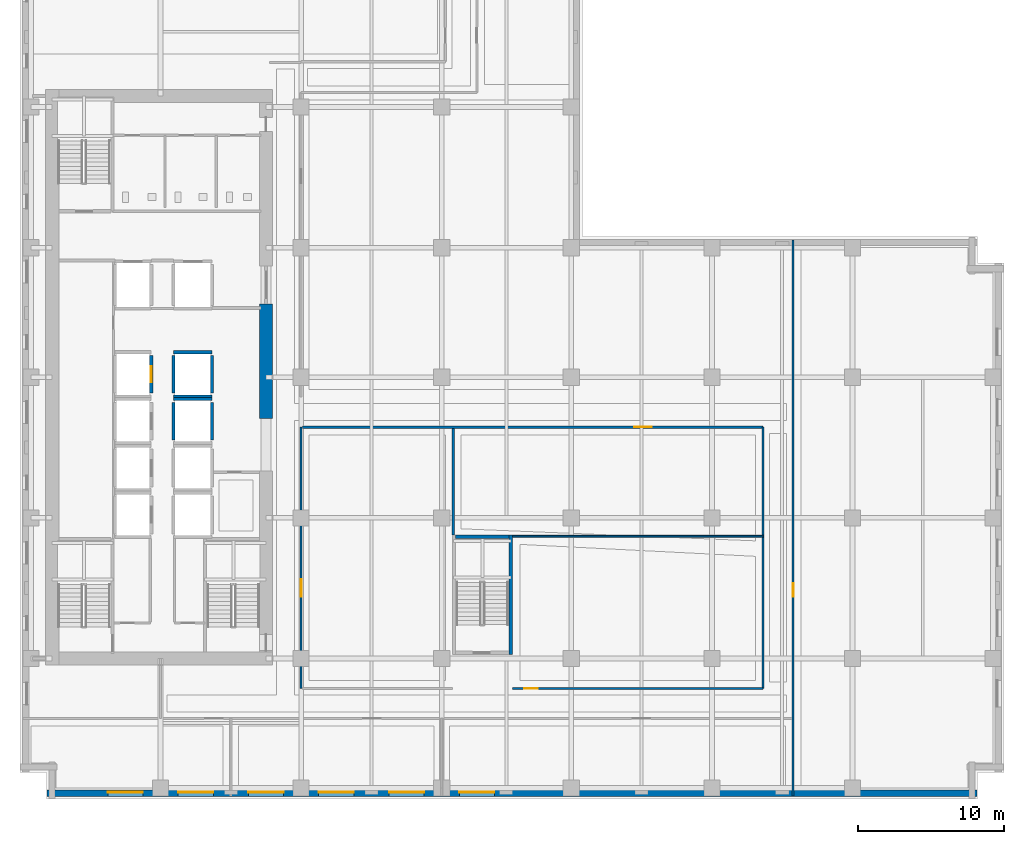
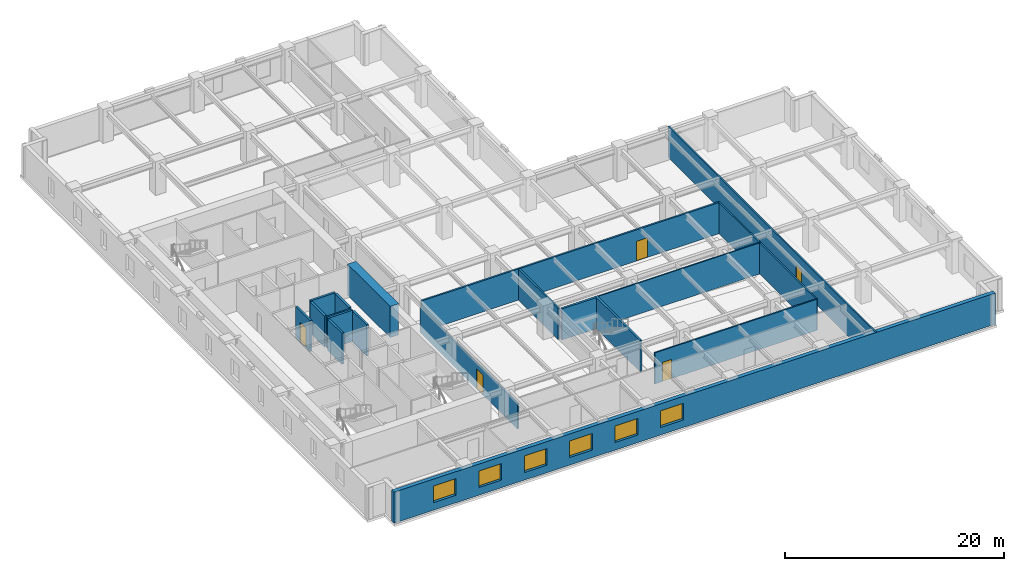
# One storey, part 5 of 15: 19 walls, 6 windows, 5 doors, 11 openings.
"""IFC4 building model written with IfcOpenShell, lengths in metres."""

from ifc_helpers import new_model, si_unit, direction, frame, frame_2d, origin, place, context, subcontext, project, spatial, rectangle, extrude, material, layer, layer_set, type_object, element, fill, save


model = new_model("IFC4")

# Units and contexts
model_context = context("Model", 3, precision=1e-05, world=origin(), true_north=direction((0.0, 1.0)))
body_context = subcontext(model_context, "Body", "Model", "MODEL_VIEW")
ifc_project = project(units=[si_unit("LENGTHUNIT", "METRE"), si_unit("AREAUNIT", "SQUARE_METRE"), si_unit("VOLUMEUNIT", "CUBIC_METRE"), si_unit("PLANEANGLEUNIT", "RADIAN"), si_unit("MASSUNIT", "GRAM", prefix="KILO")], contexts=[model_context])

# Site, building, storey
site_placement = place(None, origin())
site = spatial("IfcSite", under=ifc_project, at=site_placement, CompositionType="ELEMENT")
building_placement = place(site_placement, origin())
building = spatial("IfcBuilding", under=site, at=building_placement, Name="Norrvale University Quadrangle", CompositionType="ELEMENT")
storey_placement = place(building_placement, frame((0.0, 0.0, 92.60009765625)))
storey = spatial("IfcBuildingStorey", under=building, at=storey_placement, Name="L23", CompositionType="ELEMENT", Elevation=92.60009765625)

# Wall, openings, windows
ifc_material_1 = material(Name="Buff Norman Clay Brick Masonry", Category="masonry")
ifc_layer_1 = layer(ifc_material_1, 0.419921875, Name="Buff Norman Clay Brick Masonry")
ifc_layer_set_1 = layer_set([ifc_layer_1], Name="Buff Norman Clay Brick Masonry")
wall_type_1 = type_object("IfcWallType", Name="Wall Buff Brick 420", PredefinedType="SOLIDWALL", material=ifc_layer_set_1)
wall_1_placement = place(storey_placement, frame((1.840087890625, 0.389892578125, 0.0), z_axis=(0.0, 0.0, 1.0), x_axis=(1.0, 0.0, 0.0)))
wall_1 = element("IfcWall", 1, at=wall_1_placement, inside=storey, type_object=wall_type_1, Name="Exterior Brick Facade Wall L23-01.1", PredefinedType="SOLIDWALL", context=body_context, shape_type="SweptSolid", body=[
    extrude(rectangle(XDim=63.52001953125, YDim=0.419921875, at=frame_2d((31.760009765625, 0.0))), origin(), (0.0, 0.0, 1.0), 3.47998046875),
])
opening_1_placement = place(wall_1_placement, frame((4.159912109375, 0.0, 0.85009765625)))
opening_1 = element("IfcOpeningElement", 2, at=opening_1_placement, cuts=wall_1, Name="Opening W02", PredefinedType="OPENING", context=body_context, shape_type="SweptSolid", body=[
    extrude(rectangle(XDim=2.39990234375, YDim=1.85009765625, at=frame_2d((1.199951171875, 0.925048828125))), frame((0.0, 0.221923828125, 0.0), z_axis=(0.0, -1.0, 0.0), x_axis=(1.0, 0.0, 0.0)), (0.0, 0.0, 1.0), 0.44384765625),
])
opening_2_placement = place(wall_1_placement, frame((8.9599609375, 0.0, 0.85009765625)))
opening_2 = element("IfcOpeningElement", 3, at=opening_2_placement, cuts=wall_1, Name="Opening W02", PredefinedType="OPENING", context=body_context, shape_type="SweptSolid", body=[
    extrude(rectangle(XDim=2.39990234375, YDim=1.85009765625, at=frame_2d((1.199951171875, 0.925048828125))), frame((0.0, 0.221923828125, 0.0), z_axis=(0.0, -1.0, 0.0), x_axis=(1.0, 0.0, 0.0)), (0.0, 0.0, 1.0), 0.44384765625),
])
opening_3_placement = place(wall_1_placement, frame((13.760009765625, 0.0, 0.85009765625)))
opening_3 = element("IfcOpeningElement", 4, at=opening_3_placement, cuts=wall_1, Name="Opening W02", PredefinedType="OPENING", context=body_context, shape_type="SweptSolid", body=[
    extrude(rectangle(XDim=2.39990234375, YDim=1.85009765625, at=frame_2d((1.199951171875, 0.925048828125))), frame((0.0, 0.221923828125, 0.0), z_axis=(0.0, -1.0, 0.0), x_axis=(1.0, 0.0, 0.0)), (0.0, 0.0, 1.0), 0.44384765625),
])
opening_4_placement = place(wall_1_placement, frame((18.56005859375, 0.0, 0.85009765625)))
opening_4 = element("IfcOpeningElement", 5, at=opening_4_placement, cuts=wall_1, Name="Opening W02", PredefinedType="OPENING", context=body_context, shape_type="SweptSolid", body=[
    extrude(rectangle(XDim=2.39990234375, YDim=1.85009765625, at=frame_2d((1.199951171875, 0.925048828125))), frame((0.0, 0.221923828125, 0.0), z_axis=(0.0, -1.0, 0.0), x_axis=(1.0, 0.0, 0.0)), (0.0, 0.0, 1.0), 0.44384765625),
])
opening_5_placement = place(wall_1_placement, frame((23.360107421875, 0.0, 0.85009765625)))
opening_5 = element("IfcOpeningElement", 6, at=opening_5_placement, cuts=wall_1, Name="Opening W02", PredefinedType="OPENING", context=body_context, shape_type="SweptSolid", body=[
    extrude(rectangle(XDim=2.39990234375, YDim=1.85009765625, at=frame_2d((1.199951171875, 0.925048828125))), frame((0.0, 0.221923828125, 0.0), z_axis=(0.0, -1.0, 0.0), x_axis=(1.0, 0.0, 0.0)), (0.0, 0.0, 1.0), 0.44384765625),
])
opening_6_placement = place(wall_1_placement, frame((28.159912109375, 0.0, 0.85009765625)))
opening_6 = element("IfcOpeningElement", 7, at=opening_6_placement, cuts=wall_1, Name="Opening W02", PredefinedType="OPENING", context=body_context, shape_type="SweptSolid", body=[
    extrude(rectangle(XDim=2.39990234375, YDim=1.85009765625, at=frame_2d((1.199951171875, 0.925048828125))), frame((0.0, 0.221923828125, 0.0), z_axis=(0.0, -1.0, 0.0), x_axis=(1.0, 0.0, 0.0)), (0.0, 0.0, 1.0), 0.44384765625),
])
ifc_material_2 = material(Name="Triple Low-E Argon Glazing", Category="glass")
window_type = type_object("IfcWindowType", Name="Window Academic 2400x2300", PartitioningType="TRIPLE_PANEL_VERTICAL", PredefinedType="WINDOW", material=ifc_material_2)
window_1_placement = place(opening_1_placement, origin())
window_1 = element("IfcWindow", 8, at=window_1_placement, inside=storey, type_object=window_type, Name="Window Academic 2400x2300 WIN-L23-E01-1-01", OverallHeight=1.85009765625, OverallWidth=2.39990234375, PartitioningType="TRIPLE_PANEL_VERTICAL", PredefinedType="WINDOW", context=body_context, shape_type="SweptSolid", body=[
    extrude(rectangle(XDim=2.39990234375, YDim=1.85009765625, at=frame_2d((1.199951171875, 0.925048828125))), frame((0.0, 0.110107421875, 0.0), z_axis=(0.0, -1.0, 0.0), x_axis=(1.0, 0.0, 0.0)), (0.0, 0.0, 1.0), 0.06005859375),
])
fill(opening_1, window_1)
window_2_placement = place(opening_2_placement, origin())
window_2 = element("IfcWindow", 9, at=window_2_placement, inside=storey, type_object=window_type, Name="Window Academic 2400x2300 WIN-L23-E01-1-02", OverallHeight=1.85009765625, OverallWidth=2.39990234375, PartitioningType="TRIPLE_PANEL_VERTICAL", PredefinedType="WINDOW", context=body_context, shape_type="SweptSolid", body=[
    extrude(rectangle(XDim=2.39990234375, YDim=1.85009765625, at=frame_2d((1.199951171875, 0.925048828125))), frame((0.0, 0.110107421875, 0.0), z_axis=(0.0, -1.0, 0.0), x_axis=(1.0, 0.0, 0.0)), (0.0, 0.0, 1.0), 0.06005859375),
])
fill(opening_2, window_2)
window_3_placement = place(opening_3_placement, origin())
window_3 = element("IfcWindow", 10, at=window_3_placement, inside=storey, type_object=window_type, Name="Window Academic 2400x2300 WIN-L23-E01-1-03", OverallHeight=1.85009765625, OverallWidth=2.39990234375, PartitioningType="TRIPLE_PANEL_VERTICAL", PredefinedType="WINDOW", context=body_context, shape_type="SweptSolid", body=[
    extrude(rectangle(XDim=2.39990234375, YDim=1.85009765625, at=frame_2d((1.199951171875, 0.925048828125))), frame((0.0, 0.110107421875, 0.0), z_axis=(0.0, -1.0, 0.0), x_axis=(1.0, 0.0, 0.0)), (0.0, 0.0, 1.0), 0.06005859375),
])
fill(opening_3, window_3)
window_4_placement = place(opening_4_placement, origin())
window_4 = element("IfcWindow", 11, at=window_4_placement, inside=storey, type_object=window_type, Name="Window Academic 2400x2300 WIN-L23-E01-1-04", OverallHeight=1.85009765625, OverallWidth=2.39990234375, PartitioningType="TRIPLE_PANEL_VERTICAL", PredefinedType="WINDOW", context=body_context, shape_type="SweptSolid", body=[
    extrude(rectangle(XDim=2.39990234375, YDim=1.85009765625, at=frame_2d((1.199951171875, 0.925048828125))), frame((0.0, 0.110107421875, 0.0), z_axis=(0.0, -1.0, 0.0), x_axis=(1.0, 0.0, 0.0)), (0.0, 0.0, 1.0), 0.06005859375),
])
fill(opening_4, window_4)
window_5_placement = place(opening_5_placement, origin())
window_5 = element("IfcWindow", 12, at=window_5_placement, inside=storey, type_object=window_type, Name="Window Academic 2400x2300 WIN-L23-E01-1-05", OverallHeight=1.85009765625, OverallWidth=2.39990234375, PartitioningType="TRIPLE_PANEL_VERTICAL", PredefinedType="WINDOW", context=body_context, shape_type="SweptSolid", body=[
    extrude(rectangle(XDim=2.39990234375, YDim=1.85009765625, at=frame_2d((1.199951171875, 0.925048828125))), frame((0.0, 0.110107421875, 0.0), z_axis=(0.0, -1.0, 0.0), x_axis=(1.0, 0.0, 0.0)), (0.0, 0.0, 1.0), 0.06005859375),
])
fill(opening_5, window_5)
window_6_placement = place(opening_6_placement, origin())
window_6 = element("IfcWindow", 13, at=window_6_placement, inside=storey, type_object=window_type, Name="Window Academic 2400x2300 WIN-L23-E01-1-06", OverallHeight=1.85009765625, OverallWidth=2.39990234375, PartitioningType="TRIPLE_PANEL_VERTICAL", PredefinedType="WINDOW", context=body_context, shape_type="SweptSolid", body=[
    extrude(rectangle(XDim=2.39990234375, YDim=1.85009765625, at=frame_2d((1.199951171875, 0.925048828125))), frame((0.0, 0.110107421875, 0.0), z_axis=(0.0, -1.0, 0.0), x_axis=(1.0, 0.0, 0.0)), (0.0, 0.0, 1.0), 0.06005859375),
])
fill(opening_6, window_6)

# Walls
ifc_material_3 = material(Name="Concrete C80/95", Category="concrete")
ifc_layer_2 = layer(ifc_material_3, 0.89990234375, Name="Concrete C80/95")
ifc_layer_set_2 = layer_set([ifc_layer_2], Name="Concrete C80/95")
wall_type_2 = type_object("IfcWallType", Name="Wall Core 900", PredefinedType="SHEAR", material=ifc_layer_set_2)
wall_2_placement = place(storey_placement, frame((16.800048828125, 26.0, 0.0), z_axis=(0.0, 0.0, 1.0), x_axis=(0.0, 1.0, 0.0)))
element("IfcWall", 14, at=wall_2_placement, inside=storey, type_object=wall_type_2, Name="Tower Core Shear Wall L23-E2", PredefinedType="SHEAR", context=body_context, shape_type="SweptSolid", body=[
    extrude(rectangle(XDim=7.800048828125, YDim=0.89990234375, at=frame_2d((3.89990234375, 0.0))), origin(), (0.0, 0.0, 1.0), 3.47998046875),
])
ifc_material_4 = material(Name="Standard Academic Gypsum Partition")
ifc_layer_3 = layer(ifc_material_4, 0.125, Name="Standard Academic Gypsum Partition")
ifc_layer_set_3 = layer_set([ifc_layer_3], Name="Standard Academic Gypsum Partition")
wall_type_3 = type_object("IfcWallType", Name="Wall Gypsum Academic 125", PredefinedType="PARTITIONING", material=ifc_layer_set_3)
wall_3_placement = place(storey_placement, frame((33.6201171875, 17.93994140625, 0.0), z_axis=(0.0, 0.0, 1.0), x_axis=(1.0, 0.0, 0.0)))
element("IfcWall", 15, at=wall_3_placement, inside=storey, type_object=wall_type_3, Name="Interior Partition WL-L23-ISLH", PredefinedType="PARTITIONING", context=body_context, shape_type="SweptSolid", body=[
    extrude(rectangle(XDim=17.1298828125, YDim=0.125, at=frame_2d((8.56494140625, 0.0))), origin(), (0.0, 0.0, 1.0), 3.47998046875),
])

# Wall, opening, door
ifc_material_5 = material(Name="Fire-Rated Gypsum Stud Partition")
ifc_layer_4 = layer(ifc_material_5, 0.14990234375, Name="Fire-Rated Gypsum Stud Partition")
ifc_layer_set_4 = layer_set([ifc_layer_4], Name="Fire-Rated Gypsum Stud Partition")
wall_type_4 = type_object("IfcWallType", Name="Wall Gypsum Corridor 150", PredefinedType="PARTITIONING", material=ifc_layer_set_4)
wall_4_placement = place(storey_placement, frame((52.800048828125, 0.219970703125, 0.0), z_axis=(0.0, 0.0, 1.0), x_axis=(0.0, 1.0, 0.0)))
wall_4 = element("IfcWall", 16, at=wall_4_placement, inside=storey, type_object=wall_type_4, Name="Interior Partition WL-L23-ECW", PredefinedType="PARTITIONING", context=body_context, shape_type="SweptSolid", body=[
    extrude(rectangle(XDim=37.9599609375, YDim=0.14990234375, at=frame_2d((18.97998046875, 0.0))), origin(), (0.0, 0.0, 1.0), 3.47998046875),
])
opening_7_placement = place(wall_4_placement, frame((13.580078125, 0.0, 0.0)))
opening_7 = element("IfcOpeningElement", 17, at=opening_7_placement, cuts=wall_4, Name="Opening D07", PredefinedType="OPENING", context=body_context, shape_type="SweptSolid", body=[
    extrude(rectangle(XDim=0.949951171875, YDim=2.14990234375, at=frame_2d((0.47509765625, 1.074951171875))), frame((0.0, 0.0869140625, 0.0), z_axis=(0.0, -1.0, 0.0), x_axis=(1.0, 0.0, 0.0)), (0.0, 0.0, 1.0), 0.173828125),
])
ifc_material_6 = material(Name="Solid-Core Maple Door", Category="wood")
door_type_1 = type_object("IfcDoorType", Name="Door Office 950x2150", OperationType="NOTDEFINED", PredefinedType="DOOR", material=ifc_material_6)
door_1_placement = place(opening_7_placement, origin())
door_1 = element("IfcDoor", 18, at=door_1_placement, inside=storey, type_object=door_type_1, Name="Door Office 950x2150 DR-L23-E01", OperationType="SINGLE_SWING_RIGHT", OverallHeight=2.14990234375, OverallWidth=0.949951171875, PredefinedType="DOOR", context=body_context, shape_type="SweptSolid", body=[
    extrude(rectangle(XDim=0.949951171875, YDim=2.14990234375, at=frame_2d((0.47509765625, 1.074951171875))), frame((0.0, 0.02490234375, 0.0), z_axis=(0.0, -1.0, 0.0), x_axis=(1.0, 0.0, 0.0)), (0.0, 0.0, 1.0), 0.050048828125),
])
fill(opening_7, door_1)

wall_5_placement = place(storey_placement, frame((19.199951171875, 7.550048828125, 0.0), z_axis=(0.0, 0.0, 1.0), x_axis=(0.0, 1.0, 0.0)))
wall_5 = element("IfcWall", 19, at=wall_5_placement, inside=storey, type_object=wall_type_4, Name="Interior Partition WL-L23-ISLW", PredefinedType="PARTITIONING", context=body_context, shape_type="SweptSolid", body=[
    extrude(rectangle(XDim=17.849853515625, YDim=0.14990234375, at=frame_2d((8.9248046875, 0.0))), origin(), (0.0, 0.0, 1.0), 2.864013671875),
])
opening_8_placement = place(wall_5_placement, frame((6.25, 0.0, 0.0)))
opening_8 = element("IfcOpeningElement", 20, at=opening_8_placement, cuts=wall_5, Name="Opening D05", PredefinedType="OPENING", context=body_context, shape_type="SweptSolid", body=[
    extrude(rectangle(XDim=1.199951171875, YDim=2.199951171875, at=frame_2d((0.60009765625, 1.10009765625))), frame((0.0, 0.0869140625, 0.0), z_axis=(0.0, -1.0, 0.0), x_axis=(1.0, 0.0, 0.0)), (0.0, 0.0, 1.0), 0.173828125),
])
ifc_material_7 = material(Name="Acoustic Oak Classroom Door", Category="wood")
door_type_2 = type_object("IfcDoorType", Name="Door Classroom 1200x2200", OperationType="NOTDEFINED", PredefinedType="DOOR", material=ifc_material_7)
door_2_placement = place(opening_8_placement, origin())
door_2 = element("IfcDoor", 21, at=door_2_placement, inside=storey, type_object=door_type_2, Name="Door Classroom 1200x2200 DR-L23-IW1", OperationType="SINGLE_SWING_LEFT", OverallHeight=2.199951171875, OverallWidth=1.199951171875, PredefinedType="DOOR", context=body_context, shape_type="SweptSolid", body=[
    extrude(rectangle(XDim=1.199951171875, YDim=2.199951171875, at=frame_2d((0.60009765625, 1.10009765625))), frame((0.0, 0.02490234375, 0.0), z_axis=(0.0, -1.0, 0.0), x_axis=(1.0, 0.0, 0.0)), (0.0, 0.0, 1.0), 0.050048828125),
])
fill(opening_8, door_2)

wall_6_placement = place(storey_placement, frame((33.6201171875, 7.550048828125, 0.0), z_axis=(0.0, 0.0, 1.0), x_axis=(1.0, 0.0, 0.0)))
wall_6 = element("IfcWall", 22, at=wall_6_placement, inside=storey, type_object=wall_type_4, Name="Interior Partition WL-L23-ISLS2", PredefinedType="PARTITIONING", context=body_context, shape_type="SweptSolid", body=[
    extrude(rectangle(XDim=17.1298828125, YDim=0.14990234375, at=frame_2d((8.56494140625, 0.0))), origin(), (0.0, 0.0, 1.0), 3.47998046875),
])
opening_9_placement = place(wall_6_placement, frame((0.800048828125, 0.0, 0.0)))
opening_9 = element("IfcOpeningElement", 23, at=opening_9_placement, cuts=wall_6, Name="Opening D07", PredefinedType="OPENING", context=body_context, shape_type="SweptSolid", body=[
    extrude(rectangle(XDim=0.949951171875, YDim=2.14990234375, at=frame_2d((0.47509765625, 1.074951171875))), frame((0.0, 0.0869140625, 0.0), z_axis=(0.0, -1.0, 0.0), x_axis=(1.0, 0.0, 0.0)), (0.0, 0.0, 1.0), 0.173828125),
])
door_3_placement = place(opening_9_placement, origin())
door_3 = element("IfcDoor", 24, at=door_3_placement, inside=storey, type_object=door_type_1, Name="Door Office 950x2150 DR-L23-ISE", OperationType="SINGLE_SWING_LEFT", OverallHeight=2.14990234375, OverallWidth=0.949951171875, PredefinedType="DOOR", context=body_context, shape_type="SweptSolid", body=[
    extrude(rectangle(XDim=0.949951171875, YDim=2.14990234375, at=frame_2d((0.47509765625, 1.074951171875))), frame((0.0, 0.02490234375, 0.0), z_axis=(0.0, -1.0, 0.0), x_axis=(1.0, 0.0, 0.0)), (0.0, 0.0, 1.0), 0.050048828125),
])
fill(opening_9, door_3)

# Walls
wall_7_placement = place(storey_placement, frame((50.75, 7.550048828125, 0.0), z_axis=(0.0, 0.0, 1.0), x_axis=(0.0, 1.0, 0.0)))
element("IfcWall", 25, at=wall_7_placement, inside=storey, type_object=wall_type_4, Name="Interior Partition WL-L23-ISLE", PredefinedType="PARTITIONING", context=body_context, shape_type="SweptSolid", body=[
    extrude(rectangle(XDim=17.849853515625, YDim=0.14990234375, at=frame_2d((8.9248046875, 0.0))), origin(), (0.0, 0.0, 1.0), 3.47998046875),
])
ifc_material_8 = material(Name="Acoustic Double-Stud Gypsum Partition")
ifc_layer_5 = layer(ifc_material_8, 0.179931640625, Name="Acoustic Double-Stud Gypsum Partition")
ifc_layer_set_5 = layer_set([ifc_layer_5], Name="Acoustic Double-Stud Gypsum Partition")
wall_type_5 = type_object("IfcWallType", Name="Wall Gypsum Lecture 180", PredefinedType="PARTITIONING", material=ifc_layer_set_5)
wall_8_placement = place(storey_placement, frame((29.580078125, 18.02490234375, 0.0), z_axis=(0.0, 0.0, 1.0), x_axis=(0.0, 1.0, 0.0)))
element("IfcWall", 26, at=wall_8_placement, inside=storey, type_object=wall_type_5, Name="Interior Partition WL-L23-ISLD", PredefinedType="PARTITIONING", context=body_context, shape_type="SweptSolid", body=[
    extrude(rectangle(XDim=7.280029296875, YDim=0.179931640625, at=frame_2d((3.64013671875, 0.0))), origin(), (0.0, 0.0, 1.0), 3.47998046875),
])

# Wall, opening, door
wall_9_placement = place(storey_placement, frame((19.280029296875, 25.39990234375, 0.0), z_axis=(0.0, 0.0, 1.0), x_axis=(1.0, 0.0, 0.0)))
wall_9 = element("IfcWall", 27, at=wall_9_placement, inside=storey, type_object=wall_type_5, Name="Interior Partition WL-L23-ISLN", PredefinedType="PARTITIONING", context=body_context, shape_type="SweptSolid", body=[
    extrude(rectangle(XDim=31.469970703125, YDim=0.179931640625, at=frame_2d((15.73486328125, 0.0))), origin(), (0.0, 0.0, 1.0), 3.47998046875),
])
opening_10_placement = place(wall_9_placement, frame((22.669921875, 0.0, 0.0)))
opening_10 = element("IfcOpeningElement", 28, at=opening_10_placement, cuts=wall_9, Name="Opening D05", PredefinedType="OPENING", context=body_context, shape_type="SweptSolid", body=[
    extrude(rectangle(XDim=1.199951171875, YDim=2.199951171875, at=frame_2d((0.60009765625, 1.10009765625))), frame((0.0, 0.10205078125, 0.0), z_axis=(0.0, -1.0, 0.0), x_axis=(1.0, 0.0, 0.0)), (0.0, 0.0, 1.0), 0.203857421875),
])
door_4_placement = place(opening_10_placement, origin())
door_4 = element("IfcDoor", 29, at=door_4_placement, inside=storey, type_object=door_type_2, Name="Door Classroom 1200x2200 DR-L23-ILH", OperationType="SINGLE_SWING_RIGHT", OverallHeight=2.199951171875, OverallWidth=1.199951171875, PredefinedType="DOOR", context=body_context, shape_type="SweptSolid", body=[
    extrude(rectangle(XDim=1.199951171875, YDim=2.199951171875, at=frame_2d((0.60009765625, 1.10009765625))), frame((0.0, 0.02490234375, 0.0), z_axis=(0.0, -1.0, 0.0), x_axis=(1.0, 0.0, 0.0)), (0.0, 0.0, 1.0), 0.050048828125),
])
fill(opening_10, door_4)

# Walls
ifc_material_9 = material(Name="Concrete Blockwork 20 MPa Fire Shaft", Category="masonry")
ifc_layer_6 = layer(ifc_material_9, 0.219970703125, Name="Concrete Blockwork 20 MPa Fire Shaft")
ifc_layer_set_6 = layer_set([ifc_layer_6], Name="Concrete Blockwork 20 MPa Fire Shaft")
wall_type_6 = type_object("IfcWallType", Name="Wall Shaft 220", PredefinedType="SOLIDWALL", material=ifc_layer_set_6)
wall_10_placement = place(storey_placement, frame((33.510009765625, 9.8798828125, 0.0), z_axis=(0.0, 0.0, 1.0), x_axis=(0.0, 1.0, 0.0)))
element("IfcWall", 30, at=wall_10_placement, inside=storey, type_object=wall_type_6, Name="Stair ST-04 East Shaft Wall L23", PredefinedType="SOLIDWALL", context=body_context, shape_type="SweptSolid", body=[
    extrude(rectangle(XDim=8.14013671875, YDim=0.219970703125, at=frame_2d((4.070068359375, 0.0))), origin(), (0.0, 0.0, 1.0), 3.47998046875),
])
wall_11_placement = place(storey_placement, frame((29.75, 17.909912109375, 0.0), z_axis=(0.0, 0.0, 1.0), x_axis=(1.0, 0.0, 0.0)))
element("IfcWall", 31, at=wall_11_placement, inside=storey, type_object=wall_type_6, Name="Stair ST-04 North Shaft Wall L23", PredefinedType="SOLIDWALL", context=body_context, shape_type="SweptSolid", body=[
    extrude(rectangle(XDim=3.64990234375, YDim=0.219970703125, at=frame_2d((1.824951171875, 0.0))), origin(), (0.0, 0.0, 1.0), 3.47998046875),
])

# Wall, opening, door
wall_12_placement = place(storey_placement, frame((8.9599609375, 27.7099609375, 0.0), z_axis=(0.0, 0.0, 1.0), x_axis=(0.0, 1.0, 0.0)))
wall_12 = element("IfcWall", 32, at=wall_12_placement, inside=storey, type_object=wall_type_6, Name="Hoistway PL-04 East Wall L23", PredefinedType="SOLIDWALL", context=body_context, shape_type="SweptSolid", body=[
    extrude(rectangle(XDim=2.580078125, YDim=0.219970703125, at=frame_2d((1.2900390625, 0.0))), origin(), (0.0, 0.0, 1.0), 3.47998046875),
])
opening_11_placement = place(wall_12_placement, frame((0.739990234375, 0.0, 0.0)))
opening_11 = element("IfcOpeningElement", 33, at=opening_11_placement, cuts=wall_12, Name="Opening LD1", PredefinedType="OPENING", context=body_context, shape_type="SweptSolid", body=[
    extrude(rectangle(XDim=1.10009765625, YDim=2.199951171875, at=frame_2d((0.550048828125, 1.10009765625))), frame((0.0, 0.1220703125, 0.0), z_axis=(0.0, -1.0, 0.0), x_axis=(1.0, 0.0, 0.0)), (0.0, 0.0, 1.0), 0.243896484375),
])
ifc_material_10 = material(Name="Stainless Steel 316L Lift Landing Door", Category="steel")
door_type_3 = type_object("IfcDoorType", Name="Door Lift Landing 1100x2200", OperationType="DOUBLE_DOOR_SLIDING", PredefinedType="DOOR", material=ifc_material_10)
door_5_placement = place(opening_11_placement, origin())
door_5 = element("IfcDoor", 34, at=door_5_placement, inside=storey, type_object=door_type_3, Name="Elevator Landing Door DR-L23-PL-04", OperationType="DOUBLE_DOOR_SLIDING", OverallHeight=2.199951171875, OverallWidth=1.10009765625, PredefinedType="DOOR", context=body_context, shape_type="SweptSolid", body=[
    extrude(rectangle(XDim=1.10009765625, YDim=2.199951171875, at=frame_2d((0.550048828125, 1.10009765625))), frame((0.0, 0.02490234375, 0.0), z_axis=(0.0, -1.0, 0.0), x_axis=(1.0, 0.0, 0.0)), (0.0, 0.0, 1.0), 0.050048828125),
])
fill(opening_11, door_5)

# Walls
for number, where, z_axis, x_axis, name in (
    (35, (10.489990234375, 24.510009765625, 0.0), (0.0, 0.0, 1.0), (0.0, 1.0, 0.0), "Hoistway PL-07 West Wall L23"),
    (36, (13.110107421875, 24.510009765625, 0.0), (0.0, 0.0, 1.0), (0.0, 1.0, 0.0), "Hoistway PL-07 East Wall L23"),
):
    element("IfcWall", number, at=place(storey_placement, frame(where, z_axis=z_axis, x_axis=x_axis)), inside=storey, type_object=wall_type_6, Name=name, PredefinedType="SOLIDWALL", context=body_context, shape_type="SweptSolid", body=[
        extrude(rectangle(XDim=2.580078125, YDim=0.219970703125, at=frame_2d((1.2900390625, 0.0))), origin(), (0.0, 0.0, 1.0), 3.47998046875),
    ])
wall_13_placement = place(storey_placement, frame((10.489990234375, 27.31005859375, 0.0), z_axis=(0.0, 0.0, 1.0), x_axis=(1.0, 0.0, 0.0)))
element("IfcWall", 37, at=wall_13_placement, inside=storey, type_object=wall_type_6, Name="Hoistway PL-07 North Wall L23", PredefinedType="SOLIDWALL", context=body_context, shape_type="SweptSolid", body=[
    extrude(rectangle(XDim=2.6201171875, YDim=0.219970703125, at=frame_2d((1.31005859375, 0.0))), origin(), (0.0, 0.0, 1.0), 3.47998046875),
])
for number, where, z_axis, x_axis, name in (
    (38, (10.489990234375, 27.7099609375, 0.0), (0.0, 0.0, 1.0), (0.0, 1.0, 0.0), "Hoistway PL-08 West Wall L23"),
    (39, (13.110107421875, 27.7099609375, 0.0), (0.0, 0.0, 1.0), (0.0, 1.0, 0.0), "Hoistway PL-08 East Wall L23"),
):
    element("IfcWall", number, at=place(storey_placement, frame(where, z_axis=z_axis, x_axis=x_axis)), inside=storey, type_object=wall_type_6, Name=name, PredefinedType="SOLIDWALL", context=body_context, shape_type="SweptSolid", body=[
        extrude(rectangle(XDim=2.580078125, YDim=0.219970703125, at=frame_2d((1.2900390625, 0.0))), origin(), (0.0, 0.0, 1.0), 3.47998046875),
    ])
for number, where, z_axis, x_axis, name in (
    (40, (10.489990234375, 27.489990234375, 0.0), (0.0, 0.0, 1.0), (1.0, 0.0, 0.0), "Hoistway PL-08 South Wall L23"),
    (41, (10.489990234375, 30.510009765625, 0.0), (0.0, 0.0, 1.0), (1.0, 0.0, 0.0), "Hoistway PL-08 North Wall L23"),
):
    element("IfcWall", number, at=place(storey_placement, frame(where, z_axis=z_axis, x_axis=x_axis)), inside=storey, type_object=wall_type_6, Name=name, PredefinedType="SOLIDWALL", context=body_context, shape_type="SweptSolid", body=[
        extrude(rectangle(XDim=2.6201171875, YDim=0.219970703125, at=frame_2d((1.31005859375, 0.0))), origin(), (0.0, 0.0, 1.0), 3.47998046875),
    ])

save(model, "model.ifc")
